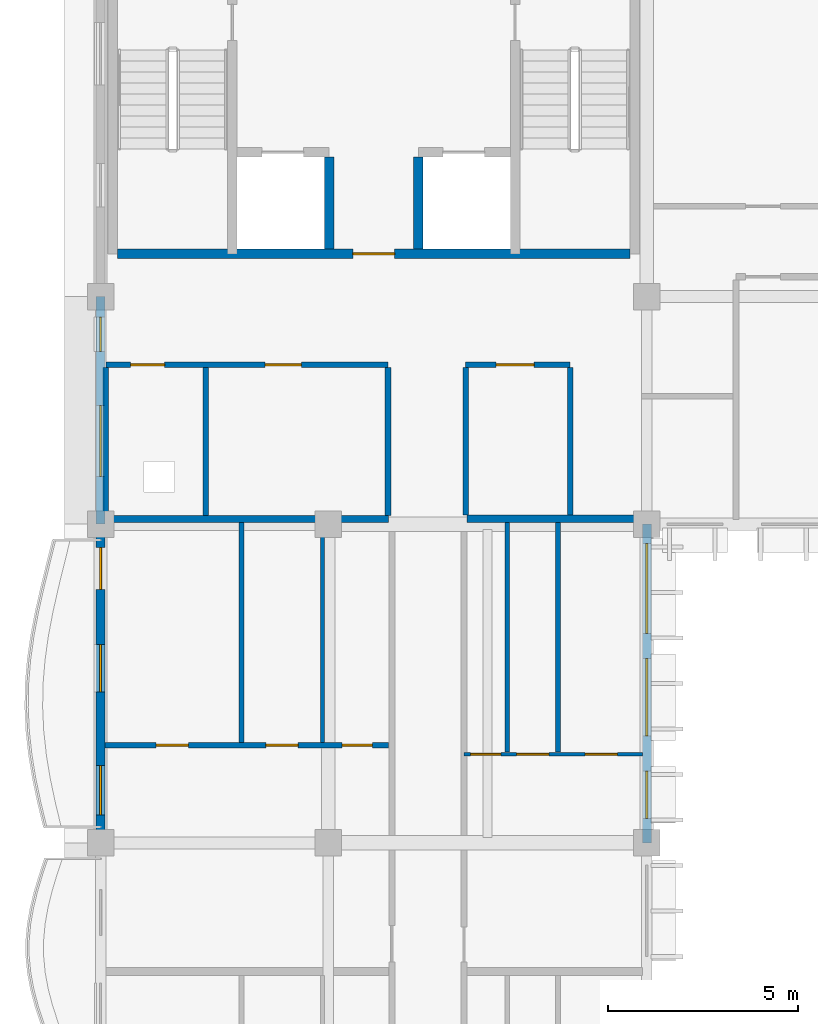
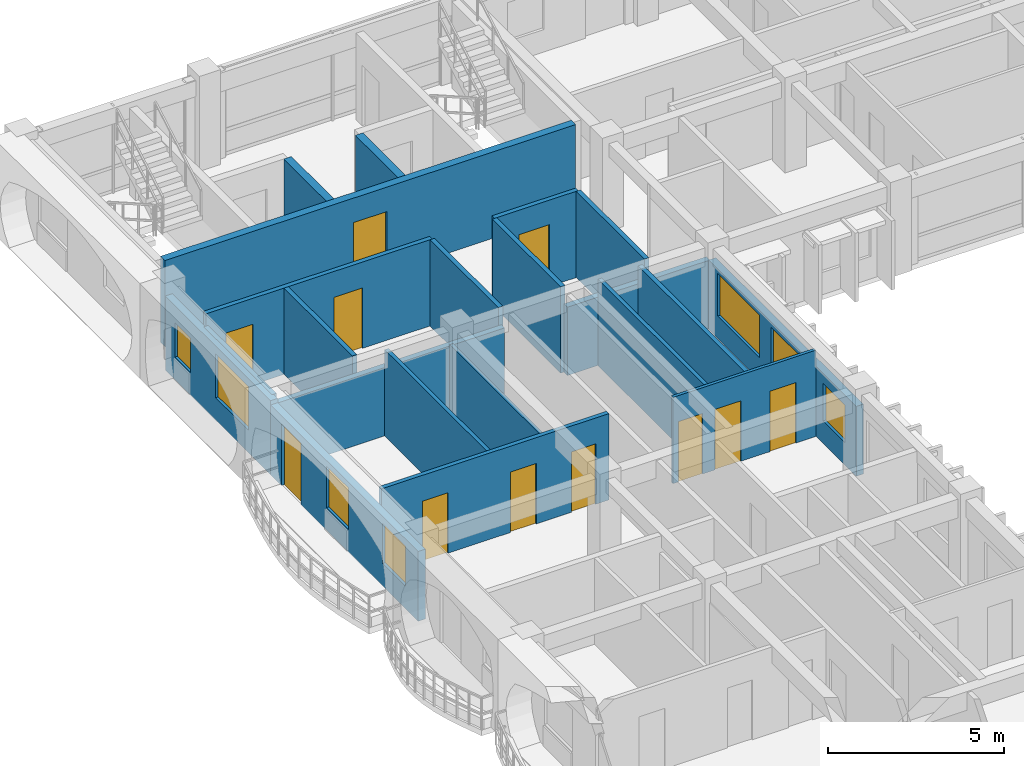
# One storey, part 33 of 79: 21 walls, 11 doors, 7 windows, 18 openings.
"""IFC4 building model written with IfcOpenShell, lengths in metres."""

from ifc_helpers import new_model, si_unit, direction, frame, frame_2d, origin, place, context, subcontext, project, spatial, rectangle, extrude, material, layer, layer_set, type_object, element, fill, save


model = new_model("IFC4")

# Units and contexts
model_context = context("Model", 3, precision=1e-05, world=origin(), true_north=direction((0.0, 1.0)))
body_context = subcontext(model_context, "Body", "Model", "MODEL_VIEW")
ifc_project = project(units=[si_unit("LENGTHUNIT", "METRE"), si_unit("AREAUNIT", "SQUARE_METRE"), si_unit("VOLUMEUNIT", "CUBIC_METRE"), si_unit("PLANEANGLEUNIT", "RADIAN"), si_unit("MASSUNIT", "GRAM", prefix="KILO"), si_unit("THERMODYNAMICTEMPERATUREUNIT", "KELVIN")], contexts=[model_context])

# Site, building, storey
site_placement = place(None, origin())
site = spatial("IfcSite", under=ifc_project, at=site_placement, CompositionType="ELEMENT")
building_placement = place(site_placement, origin())
building = spatial("IfcBuilding", under=site, at=building_placement, Name="Thalorik Housing Commons", CompositionType="ELEMENT")
storey_placement = place(building_placement, frame((0.0, 0.0, 11.39990234375)))
storey = spatial("IfcBuildingStorey", under=building, at=storey_placement, Name="L03", CompositionType="ELEMENT", Elevation=11.39990234375)

# Walls
ifc_material_1 = material(Name="Concrete C40/50", Category="concrete")
ifc_layer_1 = layer(ifc_material_1, 0.25, Name="Concrete C40/50", Category="concrete")
ifc_layer_set_1 = layer_set([ifc_layer_1], Name="Concrete C40/50")
wall_type_1 = type_object("IfcWallType", Name="ARC-WAL-CORE-250", PredefinedType="SHEAR", material=ifc_layer_set_1)
for number, where, z_axis, x_axis, name in (
    (1, (14.425048828125, 118.875, 0.0), (0.0, 0.0, 1.0), (0.0, -1.0, 0.0), "L03 Lift 1 Cheek Wall"),
    (2, (16.77490234375, 118.875, 0.0), (0.0, 0.0, 1.0), (0.0, -1.0, 0.0), "L03 Lift 2 Cheek Wall"),
):
    element("IfcWall", number, at=place(storey_placement, frame(where, z_axis=z_axis, x_axis=x_axis)), inside=storey, type_object=wall_type_1, Name=name, PredefinedType="SHEAR", context=body_context, shape_type="SweptSolid", body=[
        extrude(rectangle(XDim=2.425048828125, YDim=0.25, at=frame_2d((1.21240234375, 0.0))), origin(), (0.0, 0.0, 1.0), 3.0),
    ])

# Wall, opening, door
wall_1_placement = place(storey_placement, frame((8.85009765625, 116.324951171875, 0.0), z_axis=(0.0, 0.0, 1.0), x_axis=(1.0, 0.0, 0.0)))
wall_1 = element("IfcWall", 3, at=wall_1_placement, inside=storey, type_object=wall_type_1, Name="L03 Core A Spine Shear Wall", PredefinedType="SHEAR", context=body_context, shape_type="SweptSolid", body=[
    extrude(rectangle(XDim=13.5, YDim=0.25, at=frame_2d((6.75, 0.0))), origin(), (0.0, 0.0, 1.0), 3.0),
])
opening_1_placement = place(wall_1_placement, frame((6.199951171875, 0.0, 0.0)))
opening_1 = element("IfcOpeningElement", 4, at=opening_1_placement, cuts=wall_1, Name="Opening ID-0037", PredefinedType="OPENING", context=body_context, shape_type="SweptSolid", body=[
    extrude(rectangle(XDim=1.10009765625, YDim=2.14990234375, at=frame_2d((0.550048828125, 1.074951171875))), frame((0.0, 0.135009765625, 0.0), z_axis=(0.0, -1.0, 0.0), x_axis=(1.0, 0.0, 0.0)), (0.0, 0.0, 1.0), 0.27001953125),
])
ifc_material_2 = material(Name="Steel S355", Category="steel")
door_type_1 = type_object("IfcDoorType", Name="ARC-DR-FD60-1100", OperationType="NOTDEFINED", PredefinedType="DOOR", material=ifc_material_2)
door_1_placement = place(opening_1_placement, origin())
door_1 = element("IfcDoor", 5, at=door_1_placement, inside=storey, type_object=door_type_1, Name="L03 Core A Lobby Fire Door", OperationType="SINGLE_SWING_RIGHT", OverallHeight=2.14990234375, OverallWidth=1.10009765625, PredefinedType="DOOR", context=body_context, shape_type="SweptSolid", body=[
    extrude(rectangle(XDim=1.10009765625, YDim=2.14990234375, at=frame_2d((0.550048828125, 1.074951171875))), frame((0.0, 0.02490234375, 0.0), z_axis=(0.0, -1.0, 0.0), x_axis=(1.0, 0.0, 0.0)), (0.0, 0.0, 1.0), 0.050048828125),
])
fill(opening_1, door_1)

# Wall, openings, windows
ifc_material_3 = material(Name="White precast concrete C40/50", Category="concrete")
ifc_layer_2 = layer(ifc_material_3, 0.235107421875, Name="White precast concrete C40/50", Category="concrete")
ifc_layer_set_2 = layer_set([ifc_layer_2], Name="White precast concrete C40/50")
wall_type_2 = type_object("IfcWallType", Name="ARC-WAL-EXT-235", PredefinedType="STANDARD", material=ifc_layer_set_2)
wall_2_placement = place(storey_placement, frame((8.39990234375, 115.199951171875, 0.0), z_axis=(0.0, 0.0, 1.0), x_axis=(0.0, -1.0, 0.0)))
wall_2 = element("IfcWall", 6, at=wall_2_placement, inside=storey, type_object=wall_type_2, Name="L03 Exterior Wall WAL-EXT-L03-A-0100", PredefinedType="STANDARD", context=body_context, shape_type="SweptSolid", body=[
    extrude(rectangle(XDim=6.0, YDim=0.235107421875, at=frame_2d((3.0, 0.0))), origin(), (0.0, 0.0, 1.0), 2.5751953125),
])
opening_2_placement = place(wall_2_placement, frame((0.544921875, 0.0, 0.780029296875)))
opening_2 = element("IfcOpeningElement", 7, at=opening_2_placement, cuts=wall_2, Name="Opening W-01", PredefinedType="OPENING", context=body_context, shape_type="SweptSolid", body=[
    extrude(rectangle(XDim=0.89990234375, YDim=1.199951171875, at=frame_2d((0.449951171875, 0.60009765625))), frame((0.0, 0.12744140625, 0.0), z_axis=(0.0, -1.0, 0.0), x_axis=(1.0, 0.0, 0.0)), (0.0, 0.0, 1.0), 0.255126953125),
])
opening_3_placement = place(wall_2_placement, frame((2.864990234375, 0.0, 0.780029296875)))
opening_3 = element("IfcOpeningElement", 8, at=opening_3_placement, cuts=wall_2, Name="Opening W-59", PredefinedType="OPENING", context=body_context, shape_type="SweptSolid", body=[
    extrude(rectangle(XDim=1.8798828125, YDim=1.52001953125, at=frame_2d((0.93994140625, 0.760009765625))), frame((0.0, 0.12744140625, 0.0), z_axis=(0.0, -1.0, 0.0), x_axis=(1.0, 0.0, 0.0)), (0.0, 0.0, 1.0), 0.255126953125),
])
ifc_material_4 = material(Name="Anodised aluminium and solar-control low-E glass", Category="aluminium")
window_type_1 = type_object("IfcWindowType", Name="ARC-WIN-01", PartitioningType="SINGLE_PANEL", PredefinedType="WINDOW", material=ifc_material_4)
window_1_placement = place(opening_2_placement, origin())
window_1 = element("IfcWindow", 9, at=window_1_placement, inside=storey, type_object=window_type_1, Name="L03 Facade Window 175", OverallHeight=1.199951171875, OverallWidth=0.89990234375, PartitioningType="SINGLE_PANEL", PredefinedType="WINDOW", context=body_context, shape_type="SweptSolid", body=[
    extrude(rectangle(XDim=0.89990234375, YDim=1.199951171875, at=frame_2d((0.449951171875, 0.60009765625))), frame((0.0, 0.030029296875, 0.0), z_axis=(0.0, -1.0, 0.0), x_axis=(1.0, 0.0, 0.0)), (0.0, 0.0, 1.0), 0.06005859375),
])
fill(opening_2, window_1)
window_type_2 = type_object("IfcWindowType", Name="ARC-WIN-59", PartitioningType="DOUBLE_PANEL_VERTICAL", PredefinedType="WINDOW", material=ifc_material_4)
window_2_placement = place(opening_3_placement, origin())
window_2 = element("IfcWindow", 10, at=window_2_placement, inside=storey, type_object=window_type_2, Name="L03 Facade Window 176", OverallHeight=1.52001953125, OverallWidth=1.8798828125, PartitioningType="DOUBLE_PANEL_VERTICAL", PredefinedType="WINDOW", context=body_context, shape_type="SweptSolid", body=[
    extrude(rectangle(XDim=1.8798828125, YDim=1.52001953125, at=frame_2d((0.93994140625, 0.760009765625))), frame((0.0, 0.030029296875, 0.0), z_axis=(0.0, -1.0, 0.0), x_axis=(1.0, 0.0, 0.0)), (0.0, 0.0, 1.0), 0.06005859375),
])
fill(opening_3, window_2)

# Wall, openings, door, windows
wall_3_placement = place(storey_placement, frame((8.39990234375, 109.199951171875, 0.0), z_axis=(0.0, 0.0, 1.0), x_axis=(0.0, -1.0, 0.0)))
wall_3 = element("IfcWall", 11, at=wall_3_placement, inside=storey, type_object=wall_type_2, Name="L03 Exterior Wall WAL-EXT-L03-A-0101", PredefinedType="STANDARD", context=body_context, shape_type="SweptSolid", body=[
    extrude(rectangle(XDim=8.39990234375, YDim=0.235107421875, at=frame_2d((4.199951171875, 0.0))), origin(), (0.0, 0.0, 1.0), 2.425048828125),
])
opening_4_placement = place(wall_3_placement, frame((0.6201171875, 0.0, 0.0)))
opening_4 = element("IfcOpeningElement", 12, at=opening_4_placement, cuts=wall_3, Name="Opening ED-0025", PredefinedType="OPENING", context=body_context, shape_type="SweptSolid", body=[
    extrude(rectangle(XDim=1.10009765625, YDim=2.14990234375, at=frame_2d((0.550048828125, 1.074951171875))), frame((0.0, 0.12744140625, 0.0), z_axis=(0.0, -1.0, 0.0), x_axis=(1.0, 0.0, 0.0)), (0.0, 0.0, 1.0), 0.255126953125),
])
opening_5_placement = place(wall_3_placement, frame((3.172607421875, 0.0, 0.780029296875)))
opening_5 = element("IfcOpeningElement", 13, at=opening_5_placement, cuts=wall_3, Name="Opening W-47", PredefinedType="OPENING", context=body_context, shape_type="SweptSolid", body=[
    extrude(rectangle(XDim=1.25, YDim=1.449951171875, at=frame_2d((0.625, 0.72509765625))), frame((0.0, 0.12744140625, 0.0), z_axis=(0.0, -1.0, 0.0), x_axis=(1.0, 0.0, 0.0)), (0.0, 0.0, 1.0), 0.255126953125),
])
opening_6_placement = place(wall_3_placement, frame((6.367431640625, 0.0, 0.780029296875)))
opening_6 = element("IfcOpeningElement", 14, at=opening_6_placement, cuts=wall_3, Name="Opening W-06", PredefinedType="OPENING", context=body_context, shape_type="SweptSolid", body=[
    extrude(rectangle(XDim=1.300048828125, YDim=1.39990234375, at=frame_2d((0.64990234375, 0.699951171875))), frame((0.0, 0.12744140625, 0.0), z_axis=(0.0, -1.0, 0.0), x_axis=(1.0, 0.0, 0.0)), (0.0, 0.0, 1.0), 0.255126953125),
])
ifc_material_5 = material(Name="Anodised aluminium and laminated safety glass", Category="aluminium")
door_type_2 = type_object("IfcDoorType", Name="ARC-DR-BAL-1100", OperationType="NOTDEFINED", PredefinedType="DOOR", material=ifc_material_5)
door_2_placement = place(opening_4_placement, frame((1.10009765625, 0.0, 0.0), z_axis=(0.0, 0.0, 1.0), x_axis=(-1.0, 0.0, 0.0)))
door_2 = element("IfcDoor", 15, at=door_2_placement, inside=storey, type_object=door_type_2, Name="L03 Block A Balcony Glazed Door", OperationType="SINGLE_SWING_RIGHT", OverallHeight=2.14990234375, OverallWidth=1.10009765625, PredefinedType="DOOR", context=body_context, shape_type="SweptSolid", body=[
    extrude(rectangle(XDim=1.10009765625, YDim=2.14990234375, at=frame_2d((0.550048828125, 1.074951171875))), frame((0.0, 0.02490234375, 0.0), z_axis=(0.0, -1.0, 0.0), x_axis=(1.0, 0.0, 0.0)), (0.0, 0.0, 1.0), 0.050048828125),
])
fill(opening_4, door_2)
window_type_3 = type_object("IfcWindowType", Name="ARC-WIN-06", PartitioningType="SINGLE_PANEL", PredefinedType="WINDOW", material=ifc_material_4)
window_3_placement = place(opening_6_placement, origin())
window_3 = element("IfcWindow", 16, at=window_3_placement, inside=storey, type_object=window_type_3, Name="L03 Facade Window 178", OverallHeight=1.39990234375, OverallWidth=1.300048828125, PartitioningType="SINGLE_PANEL", PredefinedType="WINDOW", context=body_context, shape_type="SweptSolid", body=[
    extrude(rectangle(XDim=1.300048828125, YDim=1.39990234375, at=frame_2d((0.64990234375, 0.699951171875))), frame((0.0, 0.030029296875, 0.0), z_axis=(0.0, -1.0, 0.0), x_axis=(1.0, 0.0, 0.0)), (0.0, 0.0, 1.0), 0.06005859375),
])
fill(opening_6, window_3)
window_type_4 = type_object("IfcWindowType", Name="ARC-WIN-47", PartitioningType="SINGLE_PANEL", PredefinedType="WINDOW", material=ifc_material_4)
window_4_placement = place(opening_5_placement, origin())
window_4 = element("IfcWindow", 17, at=window_4_placement, inside=storey, type_object=window_type_4, Name="L03 Facade Window 177", OverallHeight=1.449951171875, OverallWidth=1.25, PartitioningType="SINGLE_PANEL", PredefinedType="WINDOW", context=body_context, shape_type="SweptSolid", body=[
    extrude(rectangle(XDim=1.25, YDim=1.449951171875, at=frame_2d((0.625, 0.72509765625))), frame((0.0, 0.030029296875, 0.0), z_axis=(0.0, -1.0, 0.0), x_axis=(1.0, 0.0, 0.0)), (0.0, 0.0, 1.0), 0.06005859375),
])
fill(opening_5, window_4)

# Wall, openings, windows
wall_4_placement = place(storey_placement, frame((22.800048828125, 100.800048828125, 0.0), z_axis=(0.0, 0.0, 1.0), x_axis=(0.0, 1.0, 0.0)))
wall_4 = element("IfcWall", 18, at=wall_4_placement, inside=storey, type_object=wall_type_2, Name="L03 Exterior Wall WAL-EXT-L03-A-0112", PredefinedType="STANDARD", context=body_context, shape_type="SweptSolid", body=[
    extrude(rectangle(XDim=8.39990234375, YDim=0.235107421875, at=frame_2d((4.199951171875, 0.0))), origin(), (0.0, 0.0, 1.0), 2.425048828125),
])
opening_7_placement = place(wall_4_placement, frame((0.63818359375, 0.0, 0.780029296875)))
opening_7 = element("IfcOpeningElement", 19, at=opening_7_placement, cuts=wall_4, Name="Opening W-46", PredefinedType="OPENING", context=body_context, shape_type="SweptSolid", body=[
    extrude(rectangle(XDim=1.25, YDim=1.300048828125, at=frame_2d((0.625, 0.64990234375))), frame((0.0, 0.12744140625, 0.0), z_axis=(0.0, -1.0, 0.0), x_axis=(1.0, 0.0, 0.0)), (0.0, 0.0, 1.0), 0.255126953125),
])
opening_8_placement = place(wall_4_placement, frame((2.81982421875, 0.0, 0.780029296875)))
opening_8 = element("IfcOpeningElement", 20, at=opening_8_placement, cuts=wall_4, Name="Opening W-62", PredefinedType="OPENING", context=body_context, shape_type="SweptSolid", body=[
    extrude(rectangle(XDim=2.0400390625, YDim=1.4599609375, at=frame_2d((1.02001953125, 0.72998046875))), frame((0.0, 0.12744140625, 0.0), z_axis=(0.0, -1.0, 0.0), x_axis=(1.0, 0.0, 0.0)), (0.0, 0.0, 1.0), 0.255126953125),
])
opening_9_placement = place(wall_4_placement, frame((5.5166015625, 0.0, 0.780029296875)))
opening_9 = element("IfcOpeningElement", 21, at=opening_9_placement, cuts=wall_4, Name="Opening W-69", PredefinedType="OPENING", context=body_context, shape_type="SweptSolid", body=[
    extrude(rectangle(XDim=2.3798828125, YDim=1.47998046875, at=frame_2d((1.18994140625, 0.739990234375))), frame((0.0, 0.12744140625, 0.0), z_axis=(0.0, -1.0, 0.0), x_axis=(1.0, 0.0, 0.0)), (0.0, 0.0, 1.0), 0.255126953125),
])
window_type_5 = type_object("IfcWindowType", Name="ARC-WIN-46", PartitioningType="SINGLE_PANEL", PredefinedType="WINDOW", material=ifc_material_4)
window_5_placement = place(opening_7_placement, origin())
window_5 = element("IfcWindow", 22, at=window_5_placement, inside=storey, type_object=window_type_5, Name="L03 Facade Window 195", OverallHeight=1.300048828125, OverallWidth=1.25, PartitioningType="SINGLE_PANEL", PredefinedType="WINDOW", context=body_context, shape_type="SweptSolid", body=[
    extrude(rectangle(XDim=1.25, YDim=1.300048828125, at=frame_2d((0.625, 0.64990234375))), frame((0.0, 0.030029296875, 0.0), z_axis=(0.0, -1.0, 0.0), x_axis=(1.0, 0.0, 0.0)), (0.0, 0.0, 1.0), 0.06005859375),
])
fill(opening_7, window_5)
window_type_6 = type_object("IfcWindowType", Name="ARC-WIN-62", PartitioningType="DOUBLE_PANEL_VERTICAL", PredefinedType="WINDOW", material=ifc_material_4)
window_6_placement = place(opening_8_placement, origin())
window_6 = element("IfcWindow", 23, at=window_6_placement, inside=storey, type_object=window_type_6, Name="L03 Facade Window 196", OverallHeight=1.4599609375, OverallWidth=2.0400390625, PartitioningType="DOUBLE_PANEL_VERTICAL", PredefinedType="WINDOW", context=body_context, shape_type="SweptSolid", body=[
    extrude(rectangle(XDim=2.0400390625, YDim=1.4599609375, at=frame_2d((1.02001953125, 0.72998046875))), frame((0.0, 0.030029296875, 0.0), z_axis=(0.0, -1.0, 0.0), x_axis=(1.0, 0.0, 0.0)), (0.0, 0.0, 1.0), 0.06005859375),
])
fill(opening_8, window_6)
window_type_7 = type_object("IfcWindowType", Name="ARC-WIN-69", PartitioningType="DOUBLE_PANEL_VERTICAL", PredefinedType="WINDOW", material=ifc_material_4)
window_7_placement = place(opening_9_placement, origin())
window_7 = element("IfcWindow", 24, at=window_7_placement, inside=storey, type_object=window_type_7, Name="L03 Facade Window 197", OverallHeight=1.47998046875, OverallWidth=2.3798828125, PartitioningType="DOUBLE_PANEL_VERTICAL", PredefinedType="WINDOW", context=body_context, shape_type="SweptSolid", body=[
    extrude(rectangle(XDim=2.3798828125, YDim=1.47998046875, at=frame_2d((1.18994140625, 0.739990234375))), frame((0.0, 0.030029296875, 0.0), z_axis=(0.0, -1.0, 0.0), x_axis=(1.0, 0.0, 0.0)), (0.0, 0.0, 1.0), 0.06005859375),
])
fill(opening_9, window_7)

# Wall, openings, doors
ifc_material_6 = material(Name="Gypsum light stud partition", Category="masonry")
ifc_layer_3 = layer(ifc_material_6, 0.10009765625, Name="Gypsum light stud partition", Category="masonry")
ifc_layer_set_3 = layer_set([ifc_layer_3], Name="Gypsum light stud partition")
wall_type_3 = type_object("IfcWallType", Name="ARC-WAL-PART-100", PredefinedType="PARTITIONING", material=ifc_layer_set_3)
wall_5_placement = place(storey_placement, frame((17.97998046875, 103.136474609375, 0.0), z_axis=(0.0, 0.0, 1.0), x_axis=(1.0, 0.0, 0.0)))
wall_5 = element("IfcWall", 25, at=wall_5_placement, inside=storey, type_object=wall_type_3, Name="L03 Unit 3B Spine Partition", PredefinedType="PARTITIONING", context=body_context, shape_type="SweptSolid", body=[
    extrude(rectangle(XDim=4.700439453125, YDim=0.10009765625, at=frame_2d((2.35009765625, 0.0))), origin(), (0.0, 0.0, 1.0), 3.0),
])
opening_10_placement = place(wall_5_placement, frame((0.171142578125, 0.0, 0.0)))
opening_10 = element("IfcOpeningElement", 26, at=opening_10_placement, cuts=wall_5, Name="Opening ID-0540", PredefinedType="OPENING", context=body_context, shape_type="SweptSolid", body=[
    extrude(rectangle(XDim=0.800048828125, YDim=2.10009765625, at=frame_2d((0.39990234375, 1.050048828125))), frame((0.0, 0.06005859375, 0.0), z_axis=(0.0, -1.0, 0.0), x_axis=(1.0, 0.0, 0.0)), (0.0, 0.0, 1.0), 0.1201171875),
])
opening_11_placement = place(wall_5_placement, frame((1.3837890625, 0.0, 0.0)))
opening_11 = element("IfcOpeningElement", 27, at=opening_11_placement, cuts=wall_5, Name="Opening ID-0541", PredefinedType="OPENING", context=body_context, shape_type="SweptSolid", body=[
    extrude(rectangle(XDim=0.85009765625, YDim=2.10009765625, at=frame_2d((0.425048828125, 1.050048828125))), frame((0.0, 0.06005859375, 0.0), z_axis=(0.0, -1.0, 0.0), x_axis=(1.0, 0.0, 0.0)), (0.0, 0.0, 1.0), 0.1201171875),
])
opening_12_placement = place(wall_5_placement, frame((3.192626953125, 0.0, 0.0)))
opening_12 = element("IfcOpeningElement", 28, at=opening_12_placement, cuts=wall_5, Name="Opening ID-0542", PredefinedType="OPENING", context=body_context, shape_type="SweptSolid", body=[
    extrude(rectangle(XDim=0.85009765625, YDim=2.10009765625, at=frame_2d((0.425048828125, 1.050048828125))), frame((0.0, 0.06005859375, 0.0), z_axis=(0.0, -1.0, 0.0), x_axis=(1.0, 0.0, 0.0)), (0.0, 0.0, 1.0), 0.1201171875),
])
ifc_material_7 = material(Name="Moisture-resistant timber", Category="wood")
door_type_3 = type_object("IfcDoorType", Name="ARC-DR-INT-800", OperationType="NOTDEFINED", PredefinedType="DOOR", material=ifc_material_7)
door_3_placement = place(opening_10_placement, origin())
door_3 = element("IfcDoor", 29, at=door_3_placement, inside=storey, type_object=door_type_3, Name="L03 Flat Bathroom Door", OperationType="SINGLE_SWING_LEFT", OverallHeight=2.10009765625, OverallWidth=0.800048828125, PredefinedType="DOOR", context=body_context, shape_type="SweptSolid", body=[
    extrude(rectangle(XDim=0.800048828125, YDim=2.10009765625, at=frame_2d((0.39990234375, 1.050048828125))), frame((0.0, 0.02490234375, 0.0), z_axis=(0.0, -1.0, 0.0), x_axis=(1.0, 0.0, 0.0)), (0.0, 0.0, 1.0), 0.050048828125),
])
fill(opening_10, door_3)
ifc_material_8 = material(Name="Engineered oak timber", Category="wood")
door_type_4 = type_object("IfcDoorType", Name="ARC-DR-INT-850", OperationType="NOTDEFINED", PredefinedType="DOOR", material=ifc_material_8)
door_4_placement = place(opening_11_placement, origin())
door_4 = element("IfcDoor", 30, at=door_4_placement, inside=storey, type_object=door_type_4, Name="L03 Galley Kitchen Door", OperationType="SINGLE_SWING_RIGHT", OverallHeight=2.10009765625, OverallWidth=0.85009765625, PredefinedType="DOOR", context=body_context, shape_type="SweptSolid", body=[
    extrude(rectangle(XDim=0.85009765625, YDim=2.10009765625, at=frame_2d((0.425048828125, 1.050048828125))), frame((0.0, 0.02490234375, 0.0), z_axis=(0.0, -1.0, 0.0), x_axis=(1.0, 0.0, 0.0)), (0.0, 0.0, 1.0), 0.050048828125),
])
fill(opening_11, door_4)
door_5_placement = place(opening_12_placement, origin())
door_5 = element("IfcDoor", 31, at=door_5_placement, inside=storey, type_object=door_type_4, Name="L03 Double Bedroom Door", OperationType="SINGLE_SWING_LEFT", OverallHeight=2.10009765625, OverallWidth=0.85009765625, PredefinedType="DOOR", context=body_context, shape_type="SweptSolid", body=[
    extrude(rectangle(XDim=0.85009765625, YDim=2.10009765625, at=frame_2d((0.425048828125, 1.050048828125))), frame((0.0, 0.02490234375, 0.0), z_axis=(0.0, -1.0, 0.0), x_axis=(1.0, 0.0, 0.0)), (0.0, 0.0, 1.0), 0.050048828125),
])
fill(opening_12, door_5)

# Walls
ifc_material_9 = material(Name="Gypsum moisture-resistant partition", Category="masonry")
ifc_layer_4 = layer(ifc_material_9, 0.114990234375, Name="Gypsum moisture-resistant partition", Category="masonry")
ifc_layer_set_4 = layer_set([ifc_layer_4], Name="Gypsum moisture-resistant partition")
wall_type_4 = type_object("IfcWallType", Name="ARC-WAL-PART-115", PredefinedType="PARTITIONING", material=ifc_layer_set_4)
wall_6_placement = place(storey_placement, frame((14.251220703125, 103.447021484375, 0.0), z_axis=(0.0, 0.0, 1.0), x_axis=(0.0, 1.0, 0.0)))
element("IfcWall", 32, at=wall_6_placement, inside=storey, type_object=wall_type_4, Name="L03 Unit 3 Wet Wall", PredefinedType="PARTITIONING", context=body_context, shape_type="SweptSolid", body=[
    extrude(rectangle(XDim=5.798583984375, YDim=0.114990234375, at=frame_2d((2.8994140625, 0.0))), origin(), (0.0, 0.0, 1.0), 2.425048828125),
])
ifc_material_10 = material(Name="Gypsum acoustic stud partition", Category="masonry")
ifc_layer_5 = layer(ifc_material_10, 0.125, Name="Gypsum acoustic stud partition", Category="masonry")
ifc_layer_set_5 = layer_set([ifc_layer_5], Name="Gypsum acoustic stud partition")
wall_type_5 = type_object("IfcWallType", Name="ARC-WAL-PART-125", PredefinedType="PARTITIONING", material=ifc_layer_set_5)
wall_7_placement = place(storey_placement, frame((12.11767578125, 103.447021484375, 0.0), z_axis=(0.0, 0.0, 1.0), x_axis=(0.0, 1.0, 0.0)))
element("IfcWall", 33, at=wall_7_placement, inside=storey, type_object=wall_type_5, Name="L03 Unit 3 Bedroom Partition", PredefinedType="PARTITIONING", context=body_context, shape_type="SweptSolid", body=[
    extrude(rectangle(XDim=5.798583984375, YDim=0.125, at=frame_2d((2.8994140625, 0.0))), origin(), (0.0, 0.0, 1.0), 3.0),
])
wall_8_placement = place(storey_placement, frame((19.122314453125, 103.1884765625, 0.0), z_axis=(0.0, 0.0, 1.0), x_axis=(0.0, 1.0, 0.0)))
element("IfcWall", 34, at=wall_8_placement, inside=storey, type_object=wall_type_5, Name="L03 Unit 3B Wet Wall", PredefinedType="PARTITIONING", context=body_context, shape_type="SweptSolid", body=[
    extrude(rectangle(XDim=6.049560546875, YDim=0.125, at=frame_2d((3.02490234375, 0.0))), origin(), (0.0, 0.0, 1.0), 3.0),
])

# Wall, openings, doors
ifc_material_11 = material(Name="Ceramic masonry partition wall", Category="masonry")
ifc_layer_6 = layer(ifc_material_11, 0.139892578125, Name="Ceramic masonry partition wall", Category="masonry")
ifc_layer_set_6 = layer_set([ifc_layer_6], Name="Ceramic masonry partition wall")
wall_type_6 = type_object("IfcWallType", Name="ARC-WAL-PART-140", PredefinedType="PARTITIONING", material=ifc_layer_set_6)
wall_9_placement = place(storey_placement, frame((8.51953125, 103.375, 0.0), z_axis=(0.0, 0.0, 1.0), x_axis=(1.0, 0.0, 0.0)))
wall_9 = element("IfcWall", 35, at=wall_9_placement, inside=storey, type_object=wall_type_6, Name="L03 Unit 3 Spine Partition", PredefinedType="PARTITIONING", context=body_context, shape_type="SweptSolid", body=[
    extrude(rectangle(XDim=7.47607421875, YDim=0.139892578125, at=frame_2d((3.738037109375, 0.0))), origin(), (0.0, 0.0, 1.0), 3.0),
])
opening_13_placement = place(wall_9_placement, frame((1.34423828125, 0.0, 0.0)))
opening_13 = element("IfcOpeningElement", 36, at=opening_13_placement, cuts=wall_9, Name="Opening ID-0537", PredefinedType="OPENING", context=body_context, shape_type="SweptSolid", body=[
    extrude(rectangle(XDim=0.85009765625, YDim=2.10009765625, at=frame_2d((0.425048828125, 1.050048828125))), frame((0.0, 0.080078125, 0.0), z_axis=(0.0, -1.0, 0.0), x_axis=(1.0, 0.0, 0.0)), (0.0, 0.0, 1.0), 0.159912109375),
])
opening_14_placement = place(wall_9_placement, frame((4.239990234375, 0.0, 0.0)))
opening_14 = element("IfcOpeningElement", 37, at=opening_14_placement, cuts=wall_9, Name="Opening ID-0538", PredefinedType="OPENING", context=body_context, shape_type="SweptSolid", body=[
    extrude(rectangle(XDim=0.85009765625, YDim=2.10009765625, at=frame_2d((0.425048828125, 1.050048828125))), frame((0.0, 0.080078125, 0.0), z_axis=(0.0, -1.0, 0.0), x_axis=(1.0, 0.0, 0.0)), (0.0, 0.0, 1.0), 0.159912109375),
])
opening_15_placement = place(wall_9_placement, frame((6.24609375, 0.0, 0.0)))
opening_15 = element("IfcOpeningElement", 38, at=opening_15_placement, cuts=wall_9, Name="Opening ID-0539", PredefinedType="OPENING", context=body_context, shape_type="SweptSolid", body=[
    extrude(rectangle(XDim=0.800048828125, YDim=2.10009765625, at=frame_2d((0.39990234375, 1.050048828125))), frame((0.0, 0.080078125, 0.0), z_axis=(0.0, -1.0, 0.0), x_axis=(1.0, 0.0, 0.0)), (0.0, 0.0, 1.0), 0.159912109375),
])
door_6_placement = place(opening_15_placement, origin())
door_6 = element("IfcDoor", 39, at=door_6_placement, inside=storey, type_object=door_type_3, Name="L03 Accessible Bathroom Door", OperationType="SINGLE_SWING_RIGHT", OverallHeight=2.10009765625, OverallWidth=0.800048828125, PredefinedType="DOOR", context=body_context, shape_type="SweptSolid", body=[
    extrude(rectangle(XDim=0.800048828125, YDim=2.10009765625, at=frame_2d((0.39990234375, 1.050048828125))), frame((0.0, 0.02490234375, 0.0), z_axis=(0.0, -1.0, 0.0), x_axis=(1.0, 0.0, 0.0)), (0.0, 0.0, 1.0), 0.050048828125),
])
fill(opening_15, door_6)
door_7_placement = place(opening_13_placement, origin())
door_7 = element("IfcDoor", 40, at=door_7_placement, inside=storey, type_object=door_type_4, Name="L03 Double Bedroom Door", OperationType="SINGLE_SWING_RIGHT", OverallHeight=2.10009765625, OverallWidth=0.85009765625, PredefinedType="DOOR", context=body_context, shape_type="SweptSolid", body=[
    extrude(rectangle(XDim=0.85009765625, YDim=2.10009765625, at=frame_2d((0.425048828125, 1.050048828125))), frame((0.0, 0.02490234375, 0.0), z_axis=(0.0, -1.0, 0.0), x_axis=(1.0, 0.0, 0.0)), (0.0, 0.0, 1.0), 0.050048828125),
])
fill(opening_13, door_7)
door_8_placement = place(opening_14_placement, origin())
door_8 = element("IfcDoor", 41, at=door_8_placement, inside=storey, type_object=door_type_4, Name="L03 Galley Kitchen Door", OperationType="SINGLE_SWING_LEFT", OverallHeight=2.10009765625, OverallWidth=0.85009765625, PredefinedType="DOOR", context=body_context, shape_type="SweptSolid", body=[
    extrude(rectangle(XDim=0.85009765625, YDim=2.10009765625, at=frame_2d((0.425048828125, 1.050048828125))), frame((0.0, 0.02490234375, 0.0), z_axis=(0.0, -1.0, 0.0), x_axis=(1.0, 0.0, 0.0)), (0.0, 0.0, 1.0), 0.050048828125),
])
fill(opening_14, door_8)

# Walls
wall_10_placement = place(storey_placement, frame((20.455078125, 103.1884765625, 0.0), z_axis=(0.0, 0.0, 1.0), x_axis=(0.0, 1.0, 0.0)))
element("IfcWall", 42, at=wall_10_placement, inside=storey, type_object=wall_type_6, Name="L03 Unit 3B Bedroom Partition", PredefinedType="PARTITIONING", context=body_context, shape_type="SweptSolid", body=[
    extrude(rectangle(XDim=6.049560546875, YDim=0.139892578125, at=frame_2d((3.02490234375, 0.0))), origin(), (0.0, 0.0, 1.0), 3.0),
])
ifc_layer_7 = layer(ifc_material_11, 0.14794921875, Name="Ceramic masonry partition wall", Category="masonry")
ifc_layer_set_7 = layer_set([ifc_layer_7], Name="Ceramic masonry partition wall")
wall_type_7 = type_object("IfcWallType", Name="ARC-WAL-PART-150", PredefinedType="PARTITIONING", material=ifc_layer_set_7)
wall_11_placement = place(storey_placement, frame((8.5400390625, 113.323974609375, 0.0), z_axis=(0.0, 0.0, 1.0), x_axis=(0.0, -1.0, 0.0)))
element("IfcWall", 43, at=wall_11_placement, inside=storey, type_object=wall_type_7, Name="Core West Enclosing Wall", PredefinedType="PARTITIONING", context=body_context, shape_type="SweptSolid", body=[
    extrude(rectangle(XDim=3.889404296875, YDim=0.14794921875, at=frame_2d((1.94482421875, 0.0))), origin(), (0.0, 0.0, 1.0), 2.5751953125),
])
for number, where, z_axis, x_axis, name in (
    (44, (11.175048828125, 113.323974609375, 0.0), (0.0, 0.0, 1.0), (0.0, -1.0, 0.0), "Riser Wall"),
    (45, (15.97509765625, 113.323974609375, 0.0), (0.0, 0.0, 1.0), (0.0, -1.0, 0.0), "Core Stem West Cheek Wall"),
):
    element("IfcWall", number, at=place(storey_placement, frame(where, z_axis=z_axis, x_axis=x_axis)), inside=storey, type_object=wall_type_7, Name=name, PredefinedType="PARTITIONING", context=body_context, shape_type="SweptSolid", body=[
        extrude(rectangle(XDim=3.889404296875, YDim=0.14794921875, at=frame_2d((1.94482421875, 0.0))), origin(), (0.0, 0.0, 1.0), 3.0),
    ])
for number, where, z_axis, x_axis, name in (
    (46, (18.02490234375, 113.323974609375, 0.0), (0.0, 0.0, 1.0), (0.0, -1.0, 0.0), "Core Stem East Cheek Wall"),
    (47, (20.780029296875, 113.323974609375, 0.0), (0.0, 0.0, 1.0), (0.0, -1.0, 0.0), "Core East Enclosing Wall"),
):
    element("IfcWall", number, at=place(storey_placement, frame(where, z_axis=z_axis, x_axis=x_axis)), inside=storey, type_object=wall_type_7, Name=name, PredefinedType="PARTITIONING", context=body_context, shape_type="SweptSolid", body=[
        extrude(rectangle(XDim=3.882080078125, YDim=0.14794921875, at=frame_2d((1.94091796875, 0.0))), origin(), (0.0, 0.0, 1.0), 3.0),
    ])

# Wall, openings, doors
wall_12_placement = place(storey_placement, frame((8.5400390625, 113.39990234375, 0.0), z_axis=(0.0, 0.0, 1.0), x_axis=(1.0, 0.0, 0.0)))
wall_12 = element("IfcWall", 48, at=wall_12_placement, inside=storey, type_object=wall_type_7, Name="L03 Core A West Corridor Partition", PredefinedType="PARTITIONING", context=body_context, shape_type="SweptSolid", body=[
    extrude(rectangle(XDim=7.43505859375, YDim=0.14794921875, at=frame_2d((3.717529296875, 0.0))), origin(), (0.0, 0.0, 1.0), 3.0),
])
opening_16_placement = place(wall_12_placement, frame((0.64990234375, 0.0, 0.0)))
opening_16 = element("IfcOpeningElement", 49, at=opening_16_placement, cuts=wall_12, Name="Opening ID-0038", PredefinedType="OPENING", context=body_context, shape_type="SweptSolid", body=[
    extrude(rectangle(XDim=0.89990234375, YDim=2.10009765625, at=frame_2d((0.449951171875, 1.050048828125))), frame((0.0, 0.083984375, 0.0), z_axis=(0.0, -1.0, 0.0), x_axis=(1.0, 0.0, 0.0)), (0.0, 0.0, 1.0), 0.16796875),
])
opening_17_placement = place(wall_12_placement, frame((4.199951171875, 0.0, 0.0)))
opening_17 = element("IfcOpeningElement", 50, at=opening_17_placement, cuts=wall_12, Name="Opening ID-0039", PredefinedType="OPENING", context=body_context, shape_type="SweptSolid", body=[
    extrude(rectangle(XDim=0.949951171875, YDim=2.10009765625, at=frame_2d((0.47509765625, 1.050048828125))), frame((0.0, 0.083984375, 0.0), z_axis=(0.0, -1.0, 0.0), x_axis=(1.0, 0.0, 0.0)), (0.0, 0.0, 1.0), 0.16796875),
])
door_type_5 = type_object("IfcDoorType", Name="ARC-DR-FD60-900", OperationType="NOTDEFINED", PredefinedType="DOOR", material=ifc_material_2)
door_9_placement = place(opening_16_placement, origin())
door_9 = element("IfcDoor", 51, at=door_9_placement, inside=storey, type_object=door_type_5, Name="Electrical Riser Door", OperationType="SINGLE_SWING_LEFT", OverallHeight=2.10009765625, OverallWidth=0.89990234375, PredefinedType="DOOR", context=body_context, shape_type="SweptSolid", body=[
    extrude(rectangle(XDim=0.89990234375, YDim=2.10009765625, at=frame_2d((0.449951171875, 1.050048828125))), frame((0.0, 0.02490234375, 0.0), z_axis=(0.0, -1.0, 0.0), x_axis=(1.0, 0.0, 0.0)), (0.0, 0.0, 1.0), 0.050048828125),
])
fill(opening_16, door_9)
door_type_6 = type_object("IfcDoorType", Name="ARC-DR-INT-950", OperationType="NOTDEFINED", PredefinedType="DOOR", material=ifc_material_8)
door_10_placement = place(opening_17_placement, origin())
door_10 = element("IfcDoor", 52, at=door_10_placement, inside=storey, type_object=door_type_6, Name="Accessible Bathroom Door", OperationType="SINGLE_SWING_RIGHT", OverallHeight=2.10009765625, OverallWidth=0.949951171875, PredefinedType="DOOR", context=body_context, shape_type="SweptSolid", body=[
    extrude(rectangle(XDim=0.949951171875, YDim=2.10009765625, at=frame_2d((0.47509765625, 1.050048828125))), frame((0.0, 0.02490234375, 0.0), z_axis=(0.0, -1.0, 0.0), x_axis=(1.0, 0.0, 0.0)), (0.0, 0.0, 1.0), 0.050048828125),
])
fill(opening_17, door_10)

# Wall, opening, door
wall_13_placement = place(storey_placement, frame((18.02490234375, 113.39990234375, 0.0), z_axis=(0.0, 0.0, 1.0), x_axis=(1.0, 0.0, 0.0)))
wall_13 = element("IfcWall", 53, at=wall_13_placement, inside=storey, type_object=wall_type_7, Name="L03 Core A East Corridor Partition", PredefinedType="PARTITIONING", context=body_context, shape_type="SweptSolid", body=[
    extrude(rectangle(XDim=2.755126953125, YDim=0.14794921875, at=frame_2d((1.37744140625, 0.0))), origin(), (0.0, 0.0, 1.0), 3.0),
])
opening_18_placement = place(wall_13_placement, frame((0.800048828125, 0.0, 0.0)))
opening_18 = element("IfcOpeningElement", 54, at=opening_18_placement, cuts=wall_13, Name="Opening ID-0040", PredefinedType="OPENING", context=body_context, shape_type="SweptSolid", body=[
    extrude(rectangle(XDim=1.0, YDim=2.14990234375, at=frame_2d((0.5, 1.074951171875))), frame((0.0, 0.083984375, 0.0), z_axis=(0.0, -1.0, 0.0), x_axis=(1.0, 0.0, 0.0)), (0.0, 0.0, 1.0), 0.16796875),
])
door_type_7 = type_object("IfcDoorType", Name="ARC-DR-FD60-1000", OperationType="NOTDEFINED", PredefinedType="DOOR", material=ifc_material_2)
door_11_placement = place(opening_18_placement, origin())
door_11 = element("IfcDoor", 55, at=door_11_placement, inside=storey, type_object=door_type_7, Name="Core Hub Room Door", OperationType="SINGLE_SWING_LEFT", OverallHeight=2.14990234375, OverallWidth=1.0, PredefinedType="DOOR", context=body_context, shape_type="SweptSolid", body=[
    extrude(rectangle(XDim=1.0, YDim=2.14990234375, at=frame_2d((0.5, 1.074951171875))), frame((0.0, 0.02490234375, 0.0), z_axis=(0.0, -1.0, 0.0), x_axis=(1.0, 0.0, 0.0)), (0.0, 0.0, 1.0), 0.050048828125),
])
fill(opening_18, door_11)

# Walls
ifc_material_12 = material(Name="Masonry acoustic blockwork wall", Category="masonry")
ifc_layer_8 = layer(ifc_material_12, 0.18505859375, Name="Masonry acoustic blockwork wall", Category="masonry")
ifc_layer_set_8 = layer_set([ifc_layer_8], Name="Masonry acoustic blockwork wall")
wall_type_8 = type_object("IfcWallType", Name="ARC-WAL-PARTY-185", PredefinedType="PARTITIONING", material=ifc_layer_set_8)
wall_14_placement = place(storey_placement, frame((8.51953125, 109.340087890625, 0.0), z_axis=(0.0, 0.0, 1.0), x_axis=(1.0, 0.0, 0.0)))
element("IfcWall", 56, at=wall_14_placement, inside=storey, type_object=wall_type_8, Name="L03 Core End Wall A", PredefinedType="PARTITIONING", context=body_context, shape_type="SweptSolid", body=[
    extrude(rectangle(XDim=7.47607421875, YDim=0.18505859375, at=frame_2d((3.738037109375, 0.0))), origin(), (0.0, 0.0, 1.0), 2.375),
])
ifc_material_13 = material(Name="Precast concrete C40/50 acoustic wall", Category="concrete")
ifc_layer_9 = layer(ifc_material_13, 0.199951171875, Name="Precast concrete C40/50 acoustic wall", Category="concrete")
ifc_layer_set_9 = layer_set([ifc_layer_9], Name="Precast concrete C40/50 acoustic wall")
wall_type_9 = type_object("IfcWallType", Name="ARC-WAL-PARTY-200", PredefinedType="PARTITIONING", material=ifc_layer_set_9)
wall_15_placement = place(storey_placement, frame((18.056884765625, 109.340087890625, 0.0), z_axis=(0.0, 0.0, 1.0), x_axis=(1.0, 0.0, 0.0)))
element("IfcWall", 57, at=wall_15_placement, inside=storey, type_object=wall_type_9, Name="L03 Core End Wall B", PredefinedType="PARTITIONING", context=body_context, shape_type="SweptSolid", body=[
    extrude(rectangle(XDim=4.68310546875, YDim=0.199951171875, at=frame_2d((2.341552734375, 0.0))), origin(), (0.0, 0.0, 1.0), 2.375),
])

save(model, "model.ifc")
